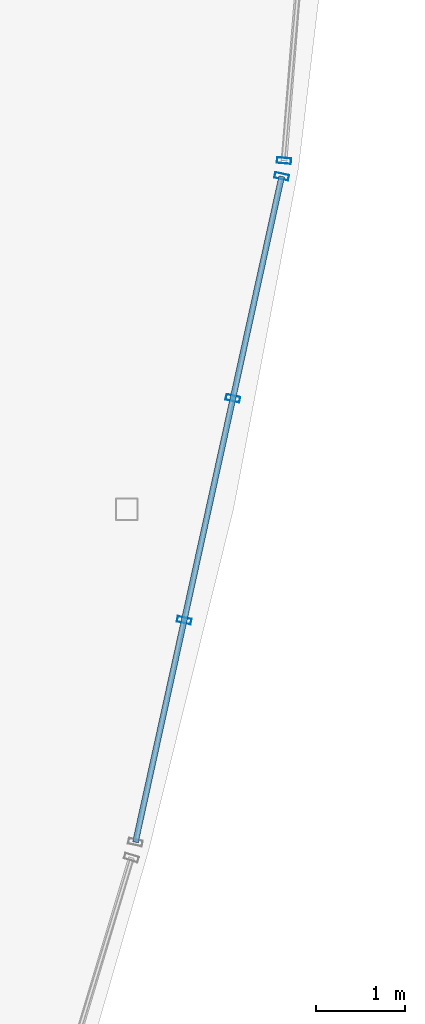
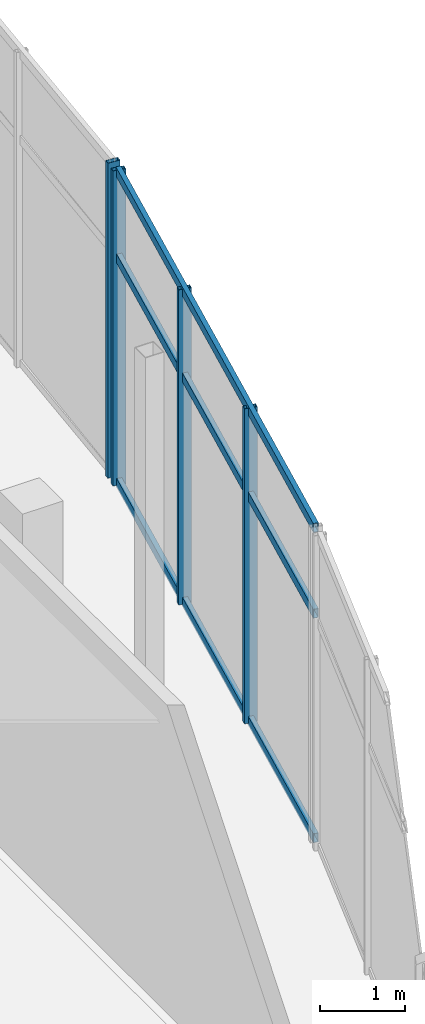
# One storey, part 90 of 157: 7 members, 2 elements without a shape of their own.
"""IFC4 building model written with IfcOpenShell, lengths in metres."""

from ifc_helpers import new_model, si_unit, direction, frame, origin, origin_2d, place, context, subcontext, project, spatial, hollow_rectangle, extrude, material, layer, layer_set, material_profile, profile_set, type_object, element, aggregate, save


model = new_model("IFC4")

# Units and contexts
model_context = context("Model", 3, precision=1e-05, world=origin(), true_north=direction((0.0, 1.0)))
body_context = subcontext(model_context, "Body", "Model", "MODEL_VIEW")
ifc_project = project(units=[si_unit("LENGTHUNIT", "METRE"), si_unit("AREAUNIT", "SQUARE_METRE"), si_unit("VOLUMEUNIT", "CUBIC_METRE"), si_unit("PLANEANGLEUNIT", "RADIAN"), si_unit("MASSUNIT", "GRAM", prefix="KILO")], contexts=[model_context])

# Site, building, storey
site_placement = place(None, origin())
site = spatial("IfcSite", under=ifc_project, at=site_placement, CompositionType="ELEMENT")
building_placement = place(site_placement, origin())
building = spatial("IfcBuilding", under=site, at=building_placement, Name="Chalmorin Arch Market", CompositionType="ELEMENT")
storey_placement = place(building_placement, frame((0.0, 0.0, 4.800048828125)))
storey = spatial("IfcBuildingStorey", under=building, at=storey_placement, Name="L01", CompositionType="ELEMENT", Elevation=4.800048828125)

# Curtain wall, members
ifc_material = material(Name="Aluminium 6063-T6", Category="aluminium")
ifc_layer_1 = layer(ifc_material, 0.159912109375)
ifc_layer_set_1 = layer_set([ifc_layer_1], Name="Aluminium 6063-T6")
curtain_wall_type_1 = type_object("IfcCurtainWallType", Name="CulinaryStudioCurtainWall-CW3-7670x4520", PredefinedType="NOTDEFINED", material=ifc_layer_set_1)
curtain_wall_1_placement = place(storey_placement, origin())
curtain_wall_1 = element("IfcCurtainWall", 1, at=curtain_wall_1_placement, inside=storey, type_object=curtain_wall_type_1, Name="CW-03-181", PredefinedType="NOTDEFINED")
ifc_material_profile_1 = material_profile(ifc_material, hollow_rectangle(XDim=0.06494140625, YDim=0.159912109375, WallThickness=0.00390625, at=origin_2d()), Name="ALU65X160X4")
ifc_profile_set_1 = profile_set([ifc_material_profile_1], Name="Aluminium 6063-T6")
member_type_1 = type_object("IfcMemberType", Name="CurtainWallMullion-65x160", PredefinedType="MULLION", material=ifc_profile_set_1)
member_1_placement = place(storey_placement, frame((118.5478515625, 82.251708984375, 0.0), z_axis=(0.0, 0.0, 1.0), x_axis=(0.207911690818, 0.978147600734, 0.0)))
member_1 = element("IfcMember", 2, at=member_1_placement, type_object=member_type_1, Name="ML-181-02", PredefinedType="MULLION", context=body_context, shape_type="SweptSolid", body=[
    extrude(hollow_rectangle(XDim=0.06494140625, YDim=0.159912109375, WallThickness=0.00390625, at=origin_2d()), origin(), (0.0, 0.0, 1.0), 4.52001953125),
])
member_2_placement = place(storey_placement, frame((119.09619140625, 84.748291015625, 0.0), z_axis=(0.0, 0.0, 1.0), x_axis=(0.207911690818, 0.978147600734, 0.0)))
member_2 = element("IfcMember", 3, at=member_2_placement, type_object=member_type_1, Name="ML-181-03", PredefinedType="MULLION", context=body_context, shape_type="SweptSolid", body=[
    extrude(hollow_rectangle(XDim=0.06494140625, YDim=0.159912109375, WallThickness=0.00390625, at=origin_2d()), origin(), (0.0, 0.0, 1.0), 4.52001953125),
])
member_3_placement = place(storey_placement, frame((119.644775390625, 87.2451171875, 0.0), z_axis=(0.0, 0.0, 1.0), x_axis=(0.207911690818, 0.978147600734, 0.0)))
member_3 = element("IfcMember", 4, at=member_3_placement, type_object=member_type_1, Name="ML-181-04", PredefinedType="MULLION", context=body_context, shape_type="SweptSolid", body=[
    extrude(hollow_rectangle(XDim=0.06494140625, YDim=0.159912109375, WallThickness=0.00390625, at=origin_2d()), origin(), (0.0, 0.0, 1.0), 4.52001953125),
])

# Curtain wall, member
ifc_layer_2 = layer(ifc_material, 0.159912109375)
ifc_layer_set_2 = layer_set([ifc_layer_2], Name="Aluminium 6063-T6")
curtain_wall_type_2 = type_object("IfcCurtainWallType", Name="CulinaryStudioCurtainWall-CW3-7510x4520", PredefinedType="NOTDEFINED", material=ifc_layer_set_2)
curtain_wall_2_placement = place(storey_placement, origin())
curtain_wall_2 = element("IfcCurtainWall", 5, at=curtain_wall_2_placement, inside=storey, type_object=curtain_wall_type_2, Name="CW-03-183", PredefinedType="NOTDEFINED")
member_4_placement = place(storey_placement, frame((119.671142578125, 87.422607421875, 0.0), z_axis=(0.0, 0.0, 1.0), x_axis=(0.087155742748, 0.996194698092, 0.0)))
member_4 = element("IfcMember", 6, at=member_4_placement, type_object=member_type_1, Name="ML-183-01", PredefinedType="MULLION", context=body_context, shape_type="SweptSolid", body=[
    extrude(hollow_rectangle(XDim=0.06494140625, YDim=0.159912109375, WallThickness=0.00390625, at=origin_2d()), origin(), (0.0, 0.0, 1.0), 4.52001953125),
])
aggregate(curtain_wall_2, [member_4])

# Member
ifc_material_profile_2 = material_profile(ifc_material, hollow_rectangle(XDim=0.06494140625, YDim=0.1298828125, WallThickness=0.00390625, at=origin_2d()), Name="ALU65X130X4")
ifc_profile_set_2 = profile_set([ifc_material_profile_2], Name="Aluminium 6063-T6")
member_type_2 = type_object("IfcMemberType", Name="CurtainWallTransom-65x130", PredefinedType="USERDEFINED", material=ifc_profile_set_2)
member_5_placement = place(storey_placement, frame((117.999267578125, 79.7548828125, 0.034912109375), z_axis=(0.214570262836, 0.976708555459, 0.0), x_axis=(-0.976708555459, 0.214570262836, 0.0)))
member_5 = element("IfcMember", 7, at=member_5_placement, type_object=member_type_2, Name="TR-181-01", ObjectType="TRANSOM", PredefinedType="USERDEFINED", context=body_context, shape_type="SweptSolid", body=[
    extrude(hollow_rectangle(XDim=0.06494140625, YDim=0.1298828125, WallThickness=0.00390625, at=origin_2d()), origin(), (0.0, 0.0, 1.0), 7.6689453125),
])

member_6_placement = place(storey_placement, frame((117.999267578125, 79.7548828125, 3.25439453125), z_axis=(0.214570262836, 0.976708555459, 0.0), x_axis=(-0.976708555459, 0.214570262836, 0.0)))
member_6 = element("IfcMember", 8, at=member_6_placement, type_object=member_type_2, Name="TR-181-02", ObjectType="TRANSOM", PredefinedType="USERDEFINED", context=body_context, shape_type="SweptSolid", body=[
    extrude(hollow_rectangle(XDim=0.06494140625, YDim=0.1298828125, WallThickness=0.00390625, at=origin_2d()), origin(), (0.0, 0.0, 1.0), 7.6689453125),
])

member_7_placement = place(storey_placement, frame((117.999267578125, 79.7548828125, 4.48486328125), z_axis=(0.214570262836, 0.976708555459, 0.0), x_axis=(-0.976708555459, 0.214570262836, 0.0)))
member_7 = element("IfcMember", 9, at=member_7_placement, type_object=member_type_2, Name="TR-181-03", ObjectType="TRANSOM", PredefinedType="USERDEFINED", context=body_context, shape_type="SweptSolid", body=[
    extrude(hollow_rectangle(XDim=0.06494140625, YDim=0.1298828125, WallThickness=0.00390625, at=origin_2d()), origin(), (0.0, 0.0, 1.0), 7.6689453125),
])

aggregate(curtain_wall_1, [member_1, member_2, member_3, member_5, member_6, member_7])

save(model, "model.ifc")
